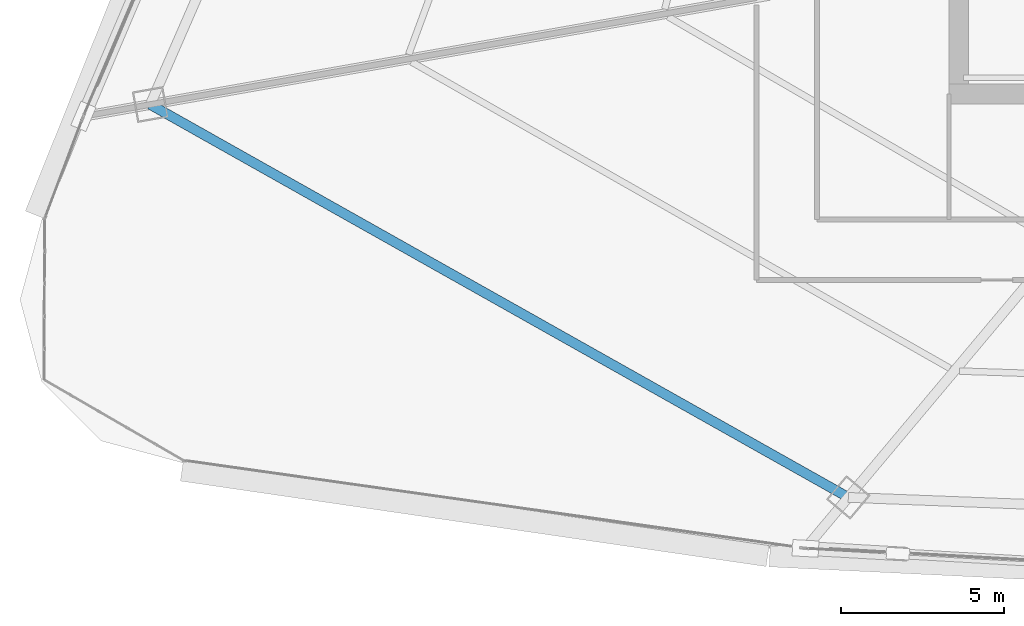
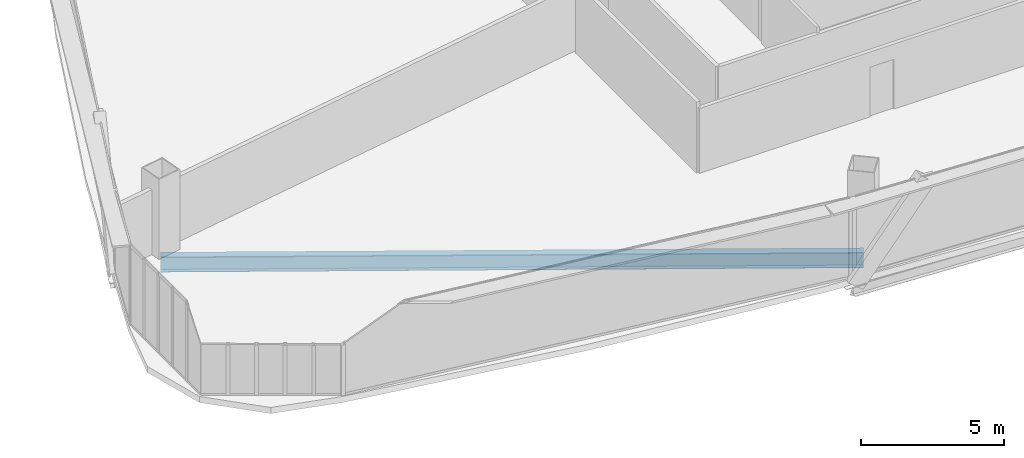
# One storey, part 5 of 42: 1 beam.
"""IFC4 building model written with IfcOpenShell, lengths in metres."""

from ifc_helpers import new_model, si_unit, direction, frame, origin, origin_2d, place, context, subcontext, project, spatial, i_section, extrude, source, transform, mapped, material, material_profile, profile_set, type_object, element, save


model = new_model("IFC4")

# Units and contexts
model_context = context("Model", 3, precision=1e-05, world=origin(), true_north=direction((0.0, 1.0)))
body_context = subcontext(model_context, "Body", "Model", "MODEL_VIEW")
ifc_project = project(units=[si_unit("LENGTHUNIT", "METRE"), si_unit("AREAUNIT", "SQUARE_METRE"), si_unit("VOLUMEUNIT", "CUBIC_METRE"), si_unit("PLANEANGLEUNIT", "RADIAN"), si_unit("MASSUNIT", "GRAM", prefix="KILO"), si_unit("THERMODYNAMICTEMPERATUREUNIT", "KELVIN"), si_unit("POWERUNIT", "WATT")], contexts=[model_context])

# Site, building, storey
site_placement = place(None, origin())
site = spatial("IfcSite", under=ifc_project, at=site_placement, CompositionType="ELEMENT")
building_placement = place(site_placement, origin())
building = spatial("IfcBuilding", under=site, at=building_placement, Name="Yunzhuo Pagoda Commons", CompositionType="ELEMENT")
storey_placement = place(building_placement, frame((0.0, 0.0, 129.830078125)))
storey = spatial("IfcBuildingStorey", under=building, at=storey_placement, Name="L32", CompositionType="ELEMENT", Elevation=129.830078125)

# Beam
ifc_material = material(Name="Structural steel Q355B", Category="steel")
ifc_material_profile = material_profile(ifc_material, i_section(OverallWidth=0.300048828125, OverallDepth=0.64990234375, WebThickness=0.012939453125, FlangeThickness=0.02197265625, at=origin_2d()), Name="Structural steel Q355B")
ifc_profile_set = profile_set([ifc_material_profile], Name="Structural steel Q355B")
beam_type = type_object("IfcBeamType", Name="B-RG2 Beam HN 650x300x13x22", PredefinedType="BEAM", material=ifc_profile_set)
shared_shape = source(origin(), body_context, "Body", "SweptSolid", [
    extrude(i_section(OverallWidth=0.300048828125, OverallDepth=0.64990234375, WebThickness=0.012939453125, FlangeThickness=0.02197265625, at=origin_2d()), origin(), (0.0, 0.0, 1.0), 24.56982421875),
])
beam_placement = place(storey_placement, frame((11.0029296875, 27.176513671875, -0.5849609375), z_axis=(0.871469103633, -0.490450406681, 0.0), x_axis=(0.490450406681, 0.871469103633, 0.0)))
element("IfcBeam", 1, at=beam_placement, inside=storey, type_object=beam_type, Name="L32 column-ring beam 12", PredefinedType="BEAM", context=body_context, shape_type="MappedRepresentation", body=[
    mapped(shared_shape, transform((0.0, 0.0, 0.0), scale=1.0)),
])

save(model, "model.ifc")
